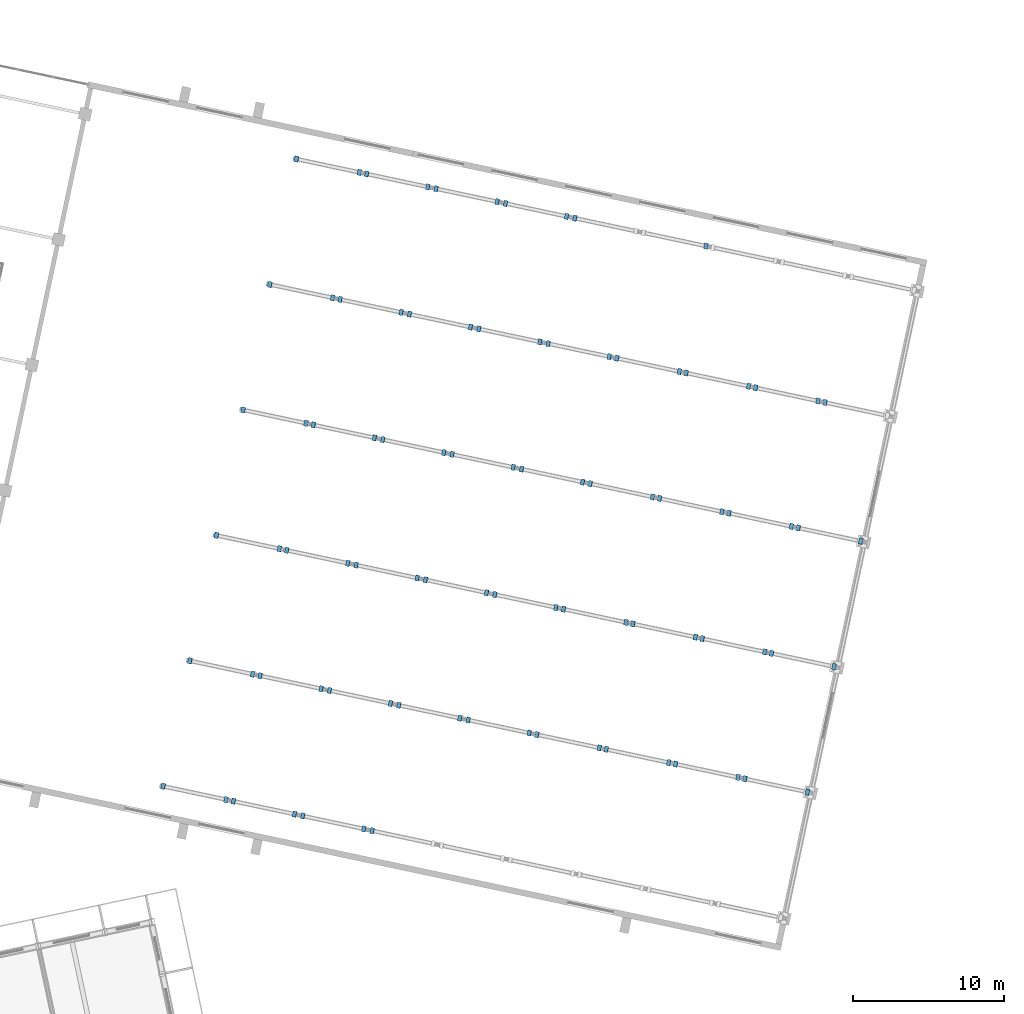
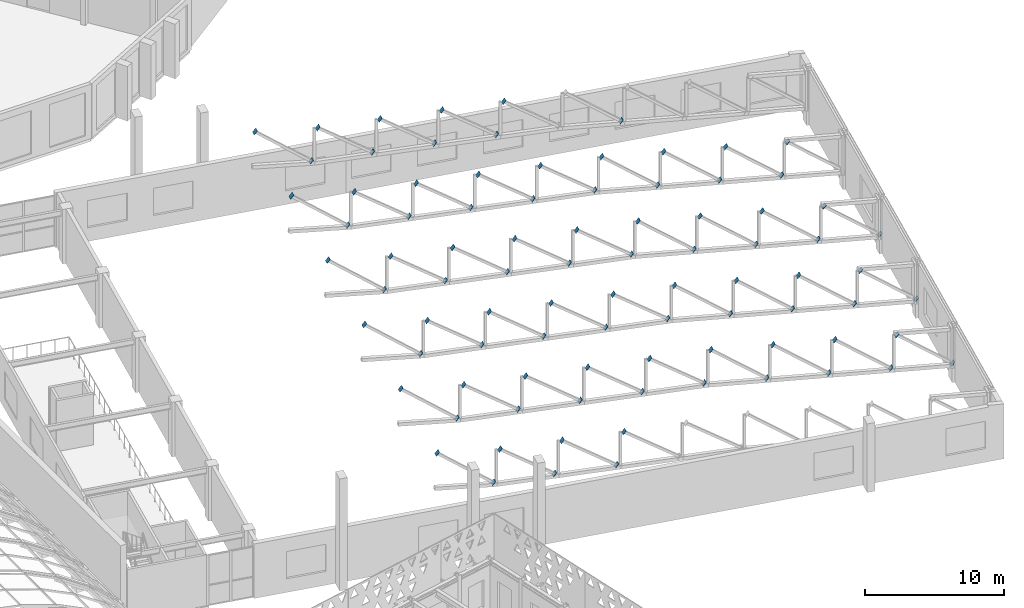
# One storey, part 163 of 182: 88 discrete accessories.
"""IFC4 building model written with IfcOpenShell, lengths in metres."""

from ifc_helpers import new_model, si_unit, direction, frame, origin, origin_2d, place, context, subcontext, project, spatial, rectangle, extrude, material, layer, layer_set, type_object, element, save


model = new_model("IFC4")

# Units and contexts
model_context = context("Model", 3, precision=1e-05, world=origin(), true_north=direction((0.0, 1.0)))
body_context = subcontext(model_context, "Body", "Model", "MODEL_VIEW")
ifc_project = project(units=[si_unit("LENGTHUNIT", "METRE"), si_unit("AREAUNIT", "SQUARE_METRE"), si_unit("VOLUMEUNIT", "CUBIC_METRE"), si_unit("PLANEANGLEUNIT", "RADIAN"), si_unit("MASSUNIT", "GRAM", prefix="KILO")], contexts=[model_context])

# Site, building, storey
site_placement = place(None, origin())
site = spatial("IfcSite", under=ifc_project, at=site_placement, CompositionType="ELEMENT")
building_placement = place(site_placement, origin())
building = spatial("IfcBuilding", under=site, at=building_placement, Name="Okhra Congress Centre", CompositionType="ELEMENT")
storey_placement = place(building_placement, frame((0.0, 0.0, 7.199951171875)))
storey = spatial("IfcBuildingStorey", under=building, at=storey_placement, Name="L01", CompositionType="ELEMENT", Elevation=7.199951171875)

# Discrete accessories
ifc_material = material(Name="Steel S355J2", Category="steel")
ifc_layer = layer(ifc_material, 0.02001953125)
ifc_layer_set = layer_set([ifc_layer], Name="Brace end connection plate 20 mm S355")
discrete_accessory_type = type_object("IfcDiscreteAccessoryType", Name="Brace end connection plate 20 mm S355", PredefinedType="BRACKET", material=ifc_layer_set)
for number, where, z_axis, x_axis, name in (
    (1, (213.965087890625, 92.695068359375, 8.216552734375), (-0.754975587422, 0.17047835845, 0.633205331387), (-0.220260871435, -0.975441002068, 0.0), "Brace end connection plate"),
    (2, (218.115234375, 91.81298828125, 4.7314453125), (0.756491435081, -0.158619171872, -0.634476687487), (0.205214844297, 0.978716949726, 0.0), "Brace end connection plate"),
    (3, (218.622314453125, 91.705322265625, 7.531005859375), (-0.783875912466, 0.15922479472, 0.600154995482), (-0.19905992429, -0.979987319582, 0.0), "Brace end connection plate"),
):
    element("IfcDiscreteAccessory", number, at=place(storey_placement, frame(where, z_axis=z_axis, x_axis=x_axis)), inside=storey, type_object=discrete_accessory_type, Name=name, PredefinedType="BRACKET", context=body_context, shape_type="SweptSolid", body=[
        extrude(rectangle(XDim=0.39990234375, YDim=0.39990234375, at=origin_2d()), origin(), (0.0, 0.0, 1.0), 0.02001953125),
    ])
discrete_accessory_1_placement = place(storey_placement, frame((222.652587890625, 90.8486328125, 4.510009765625), z_axis=(0.78696877165, -0.169500966202, -0.593253381705), x_axis=(0.210556075945, 0.977581781174, 0.0)))
element("IfcDiscreteAccessory", 4, at=discrete_accessory_1_placement, inside=storey, type_object=discrete_accessory_type, Name="Brace end connection plate", PredefinedType="BRACKET", context=body_context, shape_type="SweptSolid", body=[
    extrude(rectangle(XDim=0.39990234375, YDim=0.39990234375, at=origin_2d()), origin(), (0.0, 0.0, 1.0), 0.020263671875),
])
for number, where, z_axis, x_axis, name in (
    (5, (223.2197265625, 90.72802734375, 7.284912109375), (-0.792623989105, 0.170719013038, 0.585322330416), (-0.210556075945, -0.977581781174, 0.0), "Brace end connection plate"),
    (6, (227.25, 89.871337890625, 4.263671875), (0.782293211309, -0.171126639974, -0.598943239908), (0.213696878805, 0.976900017396, 0.0), "Brace end connection plate"),
):
    element("IfcDiscreteAccessory", number, at=place(storey_placement, frame(where, z_axis=z_axis, x_axis=x_axis)), inside=storey, type_object=discrete_accessory_type, Name=name, PredefinedType="BRACKET", context=body_context, shape_type="SweptSolid", body=[
        extrude(rectangle(XDim=0.39990234375, YDim=0.39990234375, at=origin_2d()), origin(), (0.0, 0.0, 1.0), 0.02001953125),
    ])
discrete_accessory_2_placement = place(storey_placement, frame((227.81689453125, 89.750732421875, 7.03857421875), z_axis=(-0.788024373725, 0.172380331752, 0.591018280293), x_axis=(-0.213696878805, -0.976900017396, 0.0)))
element("IfcDiscreteAccessory", 7, at=discrete_accessory_2_placement, inside=storey, type_object=discrete_accessory_type, Name="Brace end connection plate", PredefinedType="BRACKET", context=body_context, shape_type="SweptSolid", body=[
    extrude(rectangle(XDim=0.39990234375, YDim=0.39990234375, at=origin_2d()), origin(), (0.0, 0.0, 1.0), 0.019775390625),
])
for number, where, z_axis, x_axis, name in (
    (8, (215.732421875, 101.009521484375, 8.216552734375), (-0.756491435081, 0.158619171872, 0.634476687487), (-0.205214844297, -0.978716949726, 0.0), "Brace end connection plate"),
    (9, (219.882568359375, 100.127197265625, 4.7314453125), (0.756491435081, -0.158619171872, -0.634476687487), (0.205214844297, 0.978716949726, 0.0), "Brace end connection plate"),
    (10, (220.3896484375, 100.01953125, 7.531005859375), (-0.788530735684, 0.157706147137, 0.594430862285), (-0.196116135138, -0.980580675691, 0.0), "Brace end connection plate"),
    (11, (224.419921875, 99.162841796875, 4.510009765625), (0.782293211309, -0.171126639974, -0.598943239908), (0.213696878805, 0.976900017396, 0.0), "Brace end connection plate"),
    (12, (224.987060546875, 99.042236328125, 7.284912109375), (-0.792623989105, 0.170719013038, 0.585322330416), (-0.210556075945, -0.977581781174, 0.0), "Brace end connection plate"),
    (13, (229.01708984375, 98.185546875, 4.263671875), (0.788530735684, -0.157706147137, -0.594430862285), (0.196116135138, 0.980580675691, 0.0), "Brace end connection plate"),
    (14, (229.584228515625, 98.065185546875, 7.03857421875), (-0.794219937453, 0.158843987491, 0.586500876888), (-0.196116135138, -0.980580675691, 0.0), "Brace end connection plate"),
    (15, (233.614501953125, 97.20849609375, 4.017333984375), (0.782293211309, -0.171126639974, -0.598943239908), (0.213696878805, 0.976900017396, 0.0), "Brace end connection plate"),
    (16, (234.181640625, 97.087890625, 6.792236328125), (-0.792623989105, 0.170719013038, 0.585322330416), (-0.210556075945, -0.977581781174, 0.0), "Brace end connection plate"),
    (17, (238.211669921875, 96.231201171875, 3.77099609375), (0.788530735684, -0.157706147137, -0.594430862285), (0.196116135138, 0.980580675691, 0.0), "Brace end connection plate"),
):
    element("IfcDiscreteAccessory", number, at=place(storey_placement, frame(where, z_axis=z_axis, x_axis=x_axis)), inside=storey, type_object=discrete_accessory_type, Name=name, PredefinedType="BRACKET", context=body_context, shape_type="SweptSolid", body=[
        extrude(rectangle(XDim=0.39990234375, YDim=0.39990234375, at=origin_2d()), origin(), (0.0, 0.0, 1.0), 0.02001953125),
    ])
for number, where, z_axis, x_axis, name in (
    (18, (238.72900390625, 96.121337890625, 6.56640625), (-0.762359109709, 0.159849490745, 0.627101848309), (-0.205214844297, -0.978716949726, 0.0), "Brace end connection plate"),
    (19, (242.85888671875, 95.243408203125, 3.17333984375), (0.762359109709, -0.159849490745, -0.627101848309), (0.205214844297, 0.978716949726, 0.0), "Brace end connection plate"),
):
    element("IfcDiscreteAccessory", number, at=place(storey_placement, frame(where, z_axis=z_axis, x_axis=x_axis)), inside=storey, type_object=discrete_accessory_type, Name=name, PredefinedType="BRACKET", context=body_context, shape_type="SweptSolid", body=[
        extrude(rectangle(XDim=0.39990234375, YDim=0.39990234375, at=origin_2d()), origin(), (0.0, 0.0, 1.0), 0.019775390625),
    ])
for number, where, z_axis, x_axis, name in (
    (20, (243.326416015625, 95.14404296875, 5.9892578125), (-0.765904379266, 0.17020097317, 0.620017830835), (-0.216930457819, -0.976187060184, 0.0), "Brace end connection plate"),
    (21, (247.4560546875, 94.266357421875, 2.59619140625), (0.767437154638, -0.158360047782, -0.621258648992), (0.202091528728, 0.97936663922, 0.0), "Brace end connection plate"),
    (22, (247.923583984375, 94.1669921875, 5.412109375), (-0.756491435081, 0.158619171872, 0.634476687487), (-0.205214844297, -0.978716949726, 0.0), "Brace end connection plate"),
    (23, (252.053466796875, 93.2890625, 2.019287109375), (0.756491435081, -0.158619171872, -0.634476687487), (0.205214844297, 0.978716949726, 0.0), "Brace end connection plate"),
    (24, (252.52099609375, 93.189697265625, 4.835205078125), (-0.765904379266, 0.17020097317, 0.620017830835), (-0.216930457819, -0.976187060184, 0.0), "Brace end connection plate"),
):
    element("IfcDiscreteAccessory", number, at=place(storey_placement, frame(where, z_axis=z_axis, x_axis=x_axis)), inside=storey, type_object=discrete_accessory_type, Name=name, PredefinedType="BRACKET", context=body_context, shape_type="SweptSolid", body=[
        extrude(rectangle(XDim=0.39990234375, YDim=0.39990234375, at=origin_2d()), origin(), (0.0, 0.0, 1.0), 0.02001953125),
    ])
discrete_accessory_3_placement = place(storey_placement, frame((256.650634765625, 92.31201171875, 1.442138671875), z_axis=(0.760140358349, -0.168920079633, -0.627417438637), x_axis=(0.216930457819, 0.976187060184, 0.0)))
element("IfcDiscreteAccessory", 25, at=discrete_accessory_3_placement, inside=storey, type_object=discrete_accessory_type, Name="Brace end connection plate", PredefinedType="BRACKET", context=body_context, shape_type="SweptSolid", body=[
    extrude(rectangle(XDim=0.39990234375, YDim=0.39990234375, at=origin_2d()), origin(), (0.0, 0.0, 1.0), 0.020263671875),
])
for number, where, z_axis, x_axis, name in (
    (26, (217.49951171875, 109.32373046875, 8.216552734375), (-0.756491435081, 0.158619171872, 0.634476687487), (-0.205214844297, -0.978716949726, 0.0), "Brace end connection plate"),
    (27, (221.64990234375, 108.44140625, 4.7314453125), (0.756491435081, -0.158619171872, -0.634476687487), (0.205214844297, 0.978716949726, 0.0), "Brace end connection plate"),
):
    element("IfcDiscreteAccessory", number, at=place(storey_placement, frame(where, z_axis=z_axis, x_axis=x_axis)), inside=storey, type_object=discrete_accessory_type, Name=name, PredefinedType="BRACKET", context=body_context, shape_type="SweptSolid", body=[
        extrude(rectangle(XDim=0.39990234375, YDim=0.39990234375, at=origin_2d()), origin(), (0.0, 0.0, 1.0), 0.02001953125),
    ])
for number, where, z_axis, x_axis, name in (
    (28, (222.156982421875, 108.333740234375, 7.531005859375), (-0.78696877165, 0.169500966202, 0.593253381705), (-0.210556075945, -0.977581781174, 0.0), "Brace end connection plate"),
    (29, (226.18701171875, 107.47705078125, 4.510009765625), (0.78696877165, -0.169500966202, -0.593253381705), (0.210556075945, 0.977581781174, 0.0), "Brace end connection plate"),
):
    element("IfcDiscreteAccessory", number, at=place(storey_placement, frame(where, z_axis=z_axis, x_axis=x_axis)), inside=storey, type_object=discrete_accessory_type, Name=name, PredefinedType="BRACKET", context=body_context, shape_type="SweptSolid", body=[
        extrude(rectangle(XDim=0.39990234375, YDim=0.39990234375, at=origin_2d()), origin(), (0.0, 0.0, 1.0), 0.020263671875),
    ])
discrete_accessory_4_placement = place(storey_placement, frame((226.754150390625, 107.3564453125, 7.284912109375), z_axis=(-0.788024373725, 0.172380331752, 0.591018280293), x_axis=(-0.213696878805, -0.976900017396, 0.0)))
element("IfcDiscreteAccessory", 30, at=discrete_accessory_4_placement, inside=storey, type_object=discrete_accessory_type, Name="Brace end connection plate", PredefinedType="BRACKET", context=body_context, shape_type="SweptSolid", body=[
    extrude(rectangle(XDim=0.39990234375, YDim=0.39990234375, at=origin_2d()), origin(), (0.0, 0.0, 1.0), 0.019775390625),
])
discrete_accessory_5_placement = place(storey_placement, frame((230.784423828125, 106.5, 4.263671875), z_axis=(0.78696877165, -0.169500966202, -0.593253381705), x_axis=(0.210556075945, 0.977581781174, 0.0)))
element("IfcDiscreteAccessory", 31, at=discrete_accessory_5_placement, inside=storey, type_object=discrete_accessory_type, Name="Brace end connection plate", PredefinedType="BRACKET", context=body_context, shape_type="SweptSolid", body=[
    extrude(rectangle(XDim=0.39990234375, YDim=0.39990234375, at=origin_2d()), origin(), (0.0, 0.0, 1.0), 0.020263671875),
])
discrete_accessory_6_placement = place(storey_placement, frame((231.3515625, 106.37939453125, 7.03857421875), z_axis=(-0.792623989105, 0.170719013038, 0.585322330416), x_axis=(-0.210556075945, -0.977581781174, 0.0)))
element("IfcDiscreteAccessory", 32, at=discrete_accessory_6_placement, inside=storey, type_object=discrete_accessory_type, Name="Brace end connection plate", PredefinedType="BRACKET", context=body_context, shape_type="SweptSolid", body=[
    extrude(rectangle(XDim=0.39990234375, YDim=0.39990234375, at=origin_2d()), origin(), (0.0, 0.0, 1.0), 0.02001953125),
])
discrete_accessory_7_placement = place(storey_placement, frame((235.381591796875, 105.522705078125, 4.017333984375), z_axis=(0.78696877165, -0.169500966202, -0.593253381705), x_axis=(0.210556075945, 0.977581781174, 0.0)))
element("IfcDiscreteAccessory", 33, at=discrete_accessory_7_placement, inside=storey, type_object=discrete_accessory_type, Name="Brace end connection plate", PredefinedType="BRACKET", context=body_context, shape_type="SweptSolid", body=[
    extrude(rectangle(XDim=0.39990234375, YDim=0.39990234375, at=origin_2d()), origin(), (0.0, 0.0, 1.0), 0.020263671875),
])
discrete_accessory_8_placement = place(storey_placement, frame((235.94873046875, 105.402099609375, 6.792236328125), z_axis=(-0.788024373725, 0.172380331752, 0.591018280293), x_axis=(-0.213696878805, -0.976900017396, 0.0)))
element("IfcDiscreteAccessory", 34, at=discrete_accessory_8_placement, inside=storey, type_object=discrete_accessory_type, Name="Brace end connection plate", PredefinedType="BRACKET", context=body_context, shape_type="SweptSolid", body=[
    extrude(rectangle(XDim=0.39990234375, YDim=0.39990234375, at=origin_2d()), origin(), (0.0, 0.0, 1.0), 0.019775390625),
])
for number, where, z_axis, x_axis, name in (
    (35, (239.97900390625, 104.54541015625, 3.77099609375), (0.788530735684, -0.157706147137, -0.594430862285), (0.196116135138, 0.980580675691, 0.0), "Brace end connection plate"),
    (36, (240.496337890625, 104.435546875, 6.56640625), (-0.767437154638, 0.158360047782, 0.621258648992), (-0.202091528728, -0.97936663922, 0.0), "Brace end connection plate"),
    (37, (244.6259765625, 103.557861328125, 3.17333984375), (0.765904379266, -0.17020097317, -0.620017830835), (0.216930457819, 0.976187060184, 0.0), "Brace end connection plate"),
):
    element("IfcDiscreteAccessory", number, at=place(storey_placement, frame(where, z_axis=z_axis, x_axis=x_axis)), inside=storey, type_object=discrete_accessory_type, Name=name, PredefinedType="BRACKET", context=body_context, shape_type="SweptSolid", body=[
        extrude(rectangle(XDim=0.39990234375, YDim=0.39990234375, at=origin_2d()), origin(), (0.0, 0.0, 1.0), 0.02001953125),
    ])
for number, where, z_axis, x_axis, name in (
    (38, (245.093505859375, 103.45849609375, 5.9892578125), (-0.762359109709, 0.159849490745, 0.627101848309), (-0.205214844297, -0.978716949726, 0.0), "Brace end connection plate"),
    (39, (249.223388671875, 102.58056640625, 2.59619140625), (0.762359109709, -0.159849490745, -0.627101848309), (0.205214844297, 0.978716949726, 0.0), "Brace end connection plate"),
):
    element("IfcDiscreteAccessory", number, at=place(storey_placement, frame(where, z_axis=z_axis, x_axis=x_axis)), inside=storey, type_object=discrete_accessory_type, Name=name, PredefinedType="BRACKET", context=body_context, shape_type="SweptSolid", body=[
        extrude(rectangle(XDim=0.39990234375, YDim=0.39990234375, at=origin_2d()), origin(), (0.0, 0.0, 1.0), 0.019775390625),
    ])
for number, where, z_axis, x_axis, name in (
    (40, (249.69091796875, 102.481201171875, 5.412109375), (-0.761638720064, 0.15716354541, 0.62865418164), (-0.202091528728, -0.97936663922, 0.0), "Brace end connection plate"),
    (41, (253.820556640625, 101.603271484375, 2.019287109375), (0.761638720064, -0.15716354541, -0.62865418164), (0.202091528728, 0.97936663922, 0.0), "Brace end connection plate"),
):
    element("IfcDiscreteAccessory", number, at=place(storey_placement, frame(where, z_axis=z_axis, x_axis=x_axis)), inside=storey, type_object=discrete_accessory_type, Name=name, PredefinedType="BRACKET", context=body_context, shape_type="SweptSolid", body=[
        extrude(rectangle(XDim=0.39990234375, YDim=0.39990234375, at=origin_2d()), origin(), (0.0, 0.0, 1.0), 0.020263671875),
    ])
discrete_accessory_9_placement = place(storey_placement, frame((254.2880859375, 101.50390625, 4.835205078125), z_axis=(-0.760807787608, 0.171795306879, 0.625825760774), x_axis=(-0.220260871435, -0.975441002068, 0.0)))
element("IfcDiscreteAccessory", 42, at=discrete_accessory_9_placement, inside=storey, type_object=discrete_accessory_type, Name="Brace end connection plate", PredefinedType="BRACKET", context=body_context, shape_type="SweptSolid", body=[
    extrude(rectangle(XDim=0.39990234375, YDim=0.39990234375, at=origin_2d()), origin(), (0.0, 0.0, 1.0), 0.019775390625),
])
for number, where, z_axis, x_axis, name in (
    (43, (258.41796875, 100.626220703125, 1.442138671875), (0.756491435081, -0.158619171872, -0.634476687487), (0.205214844297, 0.978716949726, 0.0), "Brace end connection plate"),
    (44, (219.266845703125, 117.637939453125, 8.216552734375), (-0.756491435081, 0.158619171872, 0.634476687487), (-0.205214844297, -0.978716949726, 0.0), "Brace end connection plate"),
    (45, (223.4169921875, 116.755859375, 4.7314453125), (0.754975587422, -0.17047835845, -0.633205331387), (0.220260871435, 0.975441002068, 0.0), "Brace end connection plate"),
    (46, (223.924072265625, 116.64794921875, 7.531005859375), (-0.782293211309, 0.171126639974, 0.598943239908), (-0.213696878805, -0.976900017396, 0.0), "Brace end connection plate"),
    (47, (227.954345703125, 115.791259765625, 4.510009765625), (0.788530735684, -0.157706147137, -0.594430862285), (0.196116135138, 0.980580675691, 0.0), "Brace end connection plate"),
    (48, (228.521484375, 115.6708984375, 7.284912109375), (-0.794219937453, 0.158843987491, 0.586500876888), (-0.196116135138, -0.980580675691, 0.0), "Brace end connection plate"),
    (49, (232.5517578125, 114.814208984375, 4.263671875), (0.782293211309, -0.171126639974, -0.598943239908), (0.213696878805, 0.976900017396, 0.0), "Brace end connection plate"),
):
    element("IfcDiscreteAccessory", number, at=place(storey_placement, frame(where, z_axis=z_axis, x_axis=x_axis)), inside=storey, type_object=discrete_accessory_type, Name=name, PredefinedType="BRACKET", context=body_context, shape_type="SweptSolid", body=[
        extrude(rectangle(XDim=0.39990234375, YDim=0.39990234375, at=origin_2d()), origin(), (0.0, 0.0, 1.0), 0.02001953125),
    ])
discrete_accessory_10_placement = place(storey_placement, frame((233.11865234375, 114.693603515625, 7.03857421875), z_axis=(-0.788024373725, 0.172380331752, 0.591018280293), x_axis=(-0.213696878805, -0.976900017396, 0.0)))
element("IfcDiscreteAccessory", 50, at=discrete_accessory_10_placement, inside=storey, type_object=discrete_accessory_type, Name="Brace end connection plate", PredefinedType="BRACKET", context=body_context, shape_type="SweptSolid", body=[
    extrude(rectangle(XDim=0.39990234375, YDim=0.39990234375, at=origin_2d()), origin(), (0.0, 0.0, 1.0), 0.019775390625),
])
discrete_accessory_11_placement = place(storey_placement, frame((237.14892578125, 113.8369140625, 4.017333984375), z_axis=(0.78696877165, -0.169500966202, -0.593253381705), x_axis=(0.210556075945, 0.977581781174, 0.0)))
element("IfcDiscreteAccessory", 51, at=discrete_accessory_11_placement, inside=storey, type_object=discrete_accessory_type, Name="Brace end connection plate", PredefinedType="BRACKET", context=body_context, shape_type="SweptSolid", body=[
    extrude(rectangle(XDim=0.39990234375, YDim=0.39990234375, at=origin_2d()), origin(), (0.0, 0.0, 1.0), 0.020263671875),
])
for number, where, z_axis, x_axis, name in (
    (52, (237.716064453125, 113.71630859375, 6.792236328125), (-0.792623989105, 0.170719013038, 0.585322330416), (-0.210556075945, -0.977581781174, 0.0), "Brace end connection plate"),
    (53, (241.746337890625, 112.85986328125, 3.77099609375), (0.782293211309, -0.171126639974, -0.598943239908), (0.213696878805, 0.976900017396, 0.0), "Brace end connection plate"),
):
    element("IfcDiscreteAccessory", number, at=place(storey_placement, frame(where, z_axis=z_axis, x_axis=x_axis)), inside=storey, type_object=discrete_accessory_type, Name=name, PredefinedType="BRACKET", context=body_context, shape_type="SweptSolid", body=[
        extrude(rectangle(XDim=0.39990234375, YDim=0.39990234375, at=origin_2d()), origin(), (0.0, 0.0, 1.0), 0.02001953125),
    ])
discrete_accessory_12_placement = place(storey_placement, frame((242.263427734375, 112.749755859375, 6.56640625), z_axis=(-0.760807787608, 0.171795306879, 0.625825760774), x_axis=(-0.220260871435, -0.975441002068, 0.0)))
element("IfcDiscreteAccessory", 54, at=discrete_accessory_12_placement, inside=storey, type_object=discrete_accessory_type, Name="Brace end connection plate", PredefinedType="BRACKET", context=body_context, shape_type="SweptSolid", body=[
    extrude(rectangle(XDim=0.39990234375, YDim=0.39990234375, at=origin_2d()), origin(), (0.0, 0.0, 1.0), 0.019775390625),
])
for number, where, z_axis, x_axis, name in (
    (55, (246.393310546875, 111.8720703125, 3.17333984375), (0.765904379266, -0.17020097317, -0.620017830835), (0.216930457819, 0.976187060184, 0.0), "Brace end connection plate"),
    (56, (246.86083984375, 111.772705078125, 5.9892578125), (-0.767437154638, 0.158360047782, 0.621258648992), (-0.202091528728, -0.97936663922, 0.0), "Brace end connection plate"),
):
    element("IfcDiscreteAccessory", number, at=place(storey_placement, frame(where, z_axis=z_axis, x_axis=x_axis)), inside=storey, type_object=discrete_accessory_type, Name=name, PredefinedType="BRACKET", context=body_context, shape_type="SweptSolid", body=[
        extrude(rectangle(XDim=0.39990234375, YDim=0.39990234375, at=origin_2d()), origin(), (0.0, 0.0, 1.0), 0.02001953125),
    ])
discrete_accessory_13_placement = place(storey_placement, frame((250.99072265625, 110.894775390625, 2.59619140625), z_axis=(0.762359109709, -0.159849490745, -0.627101848309), x_axis=(0.205214844297, 0.978716949726, 0.0)))
element("IfcDiscreteAccessory", 57, at=discrete_accessory_13_placement, inside=storey, type_object=discrete_accessory_type, Name="Brace end connection plate", PredefinedType="BRACKET", context=body_context, shape_type="SweptSolid", body=[
    extrude(rectangle(XDim=0.39990234375, YDim=0.39990234375, at=origin_2d()), origin(), (0.0, 0.0, 1.0), 0.019775390625),
])
discrete_accessory_14_placement = place(storey_placement, frame((251.4580078125, 110.79541015625, 5.412109375), z_axis=(-0.756491435081, 0.158619171872, 0.634476687487), x_axis=(-0.205214844297, -0.978716949726, 0.0)))
element("IfcDiscreteAccessory", 58, at=discrete_accessory_14_placement, inside=storey, type_object=discrete_accessory_type, Name="Brace end connection plate", PredefinedType="BRACKET", context=body_context, shape_type="SweptSolid", body=[
    extrude(rectangle(XDim=0.39990234375, YDim=0.39990234375, at=origin_2d()), origin(), (0.0, 0.0, 1.0), 0.02001953125),
])
discrete_accessory_15_placement = place(storey_placement, frame((255.587890625, 109.917724609375, 2.019287109375), z_axis=(0.760140358349, -0.168920079633, -0.627417438637), x_axis=(0.216930457819, 0.976187060184, 0.0)))
element("IfcDiscreteAccessory", 59, at=discrete_accessory_15_placement, inside=storey, type_object=discrete_accessory_type, Name="Brace end connection plate", PredefinedType="BRACKET", context=body_context, shape_type="SweptSolid", body=[
    extrude(rectangle(XDim=0.39990234375, YDim=0.39990234375, at=origin_2d()), origin(), (0.0, 0.0, 1.0), 0.020263671875),
])
discrete_accessory_16_placement = place(storey_placement, frame((256.055419921875, 109.818359375, 4.835205078125), z_axis=(-0.762359109709, 0.159849490745, 0.627101848309), x_axis=(-0.205214844297, -0.978716949726, 0.0)))
element("IfcDiscreteAccessory", 60, at=discrete_accessory_16_placement, inside=storey, type_object=discrete_accessory_type, Name="Brace end connection plate", PredefinedType="BRACKET", context=body_context, shape_type="SweptSolid", body=[
    extrude(rectangle(XDim=0.39990234375, YDim=0.39990234375, at=origin_2d()), origin(), (0.0, 0.0, 1.0), 0.019775390625),
])
for number, where, z_axis, x_axis, name in (
    (61, (260.185302734375, 108.9404296875, 1.442138671875), (0.756491435081, -0.158619171872, -0.634476687487), (0.205214844297, 0.978716949726, 0.0), "Brace end connection plate"),
    (62, (221.0341796875, 125.9521484375, 8.216552734375), (-0.756491435081, 0.158619171872, 0.634476687487), (-0.205214844297, -0.978716949726, 0.0), "Brace end connection plate"),
    (63, (225.184326171875, 125.070068359375, 4.7314453125), (0.756491435081, -0.158619171872, -0.634476687487), (0.205214844297, 0.978716949726, 0.0), "Brace end connection plate"),
):
    element("IfcDiscreteAccessory", number, at=place(storey_placement, frame(where, z_axis=z_axis, x_axis=x_axis)), inside=storey, type_object=discrete_accessory_type, Name=name, PredefinedType="BRACKET", context=body_context, shape_type="SweptSolid", body=[
        extrude(rectangle(XDim=0.39990234375, YDim=0.39990234375, at=origin_2d()), origin(), (0.0, 0.0, 1.0), 0.02001953125),
    ])
discrete_accessory_17_placement = place(storey_placement, frame((225.69140625, 124.962158203125, 7.531005859375), z_axis=(-0.78696877165, 0.169500966202, 0.593253381705), x_axis=(-0.210556075945, -0.977581781174, 0.0)))
element("IfcDiscreteAccessory", 64, at=discrete_accessory_17_placement, inside=storey, type_object=discrete_accessory_type, Name="Brace end connection plate", PredefinedType="BRACKET", context=body_context, shape_type="SweptSolid", body=[
    extrude(rectangle(XDim=0.39990234375, YDim=0.39990234375, at=origin_2d()), origin(), (0.0, 0.0, 1.0), 0.020263671875),
])
for number, where, z_axis, x_axis, name in (
    (65, (229.7216796875, 124.10546875, 4.510009765625), (0.783875912466, -0.15922479472, -0.600154995482), (0.19905992429, 0.979987319582, 0.0), "Brace end connection plate"),
    (66, (230.288818359375, 123.985107421875, 7.284912109375), (-0.794219937453, 0.158843987491, 0.586500876888), (-0.196116135138, -0.980580675691, 0.0), "Brace end connection plate"),
):
    element("IfcDiscreteAccessory", number, at=place(storey_placement, frame(where, z_axis=z_axis, x_axis=x_axis)), inside=storey, type_object=discrete_accessory_type, Name=name, PredefinedType="BRACKET", context=body_context, shape_type="SweptSolid", body=[
        extrude(rectangle(XDim=0.39990234375, YDim=0.39990234375, at=origin_2d()), origin(), (0.0, 0.0, 1.0), 0.02001953125),
    ])
discrete_accessory_18_placement = place(storey_placement, frame((234.31884765625, 123.12841796875, 4.263671875), z_axis=(0.78696877165, -0.169500966202, -0.593253381705), x_axis=(0.210556075945, 0.977581781174, 0.0)))
element("IfcDiscreteAccessory", 67, at=discrete_accessory_18_placement, inside=storey, type_object=discrete_accessory_type, Name="Brace end connection plate", PredefinedType="BRACKET", context=body_context, shape_type="SweptSolid", body=[
    extrude(rectangle(XDim=0.39990234375, YDim=0.39990234375, at=origin_2d()), origin(), (0.0, 0.0, 1.0), 0.020263671875),
])
for number, where, z_axis, x_axis, name in (
    (68, (234.885986328125, 123.0078125, 7.03857421875), (-0.792623989105, 0.170719013038, 0.585322330416), (-0.210556075945, -0.977581781174, 0.0), "Brace end connection plate"),
    (69, (238.916259765625, 122.151123046875, 4.017333984375), (0.783875912466, -0.15922479472, -0.600154995482), (0.19905992429, 0.979987319582, 0.0), "Brace end connection plate"),
    (70, (239.4833984375, 122.03076171875, 6.792236328125), (-0.794219937453, 0.158843987491, 0.586500876888), (-0.196116135138, -0.980580675691, 0.0), "Brace end connection plate"),
):
    element("IfcDiscreteAccessory", number, at=place(storey_placement, frame(where, z_axis=z_axis, x_axis=x_axis)), inside=storey, type_object=discrete_accessory_type, Name=name, PredefinedType="BRACKET", context=body_context, shape_type="SweptSolid", body=[
        extrude(rectangle(XDim=0.39990234375, YDim=0.39990234375, at=origin_2d()), origin(), (0.0, 0.0, 1.0), 0.02001953125),
    ])
discrete_accessory_19_placement = place(storey_placement, frame((243.513427734375, 121.174072265625, 3.77099609375), z_axis=(0.78696877165, -0.169500966202, -0.593253381705), x_axis=(0.210556075945, 0.977581781174, 0.0)))
element("IfcDiscreteAccessory", 71, at=discrete_accessory_19_placement, inside=storey, type_object=discrete_accessory_type, Name="Brace end connection plate", PredefinedType="BRACKET", context=body_context, shape_type="SweptSolid", body=[
    extrude(rectangle(XDim=0.39990234375, YDim=0.39990234375, at=origin_2d()), origin(), (0.0, 0.0, 1.0), 0.020263671875),
])
for number, where, z_axis, x_axis, name in (
    (72, (244.03076171875, 121.06396484375, 6.56640625), (-0.760807787608, 0.171795306879, 0.625825760774), (-0.220260871435, -0.975441002068, 0.0), "Brace end connection plate"),
    (73, (248.16064453125, 120.186279296875, 3.17333984375), (0.762359109709, -0.159849490745, -0.627101848309), (0.205214844297, 0.978716949726, 0.0), "Brace end connection plate"),
):
    element("IfcDiscreteAccessory", number, at=place(storey_placement, frame(where, z_axis=z_axis, x_axis=x_axis)), inside=storey, type_object=discrete_accessory_type, Name=name, PredefinedType="BRACKET", context=body_context, shape_type="SweptSolid", body=[
        extrude(rectangle(XDim=0.39990234375, YDim=0.39990234375, at=origin_2d()), origin(), (0.0, 0.0, 1.0), 0.019775390625),
    ])
for number, where, z_axis, x_axis, name in (
    (74, (248.628173828125, 120.0869140625, 5.9892578125), (-0.767437154638, 0.158360047782, 0.621258648992), (-0.202091528728, -0.97936663922, 0.0), "Brace end connection plate"),
    (75, (252.7578125, 119.208984375, 2.59619140625), (0.767437154638, -0.158360047782, -0.621258648992), (0.202091528728, 0.97936663922, 0.0), "Brace end connection plate"),
    (76, (253.225341796875, 119.109619140625, 5.412109375), (-0.754975587422, 0.17047835845, 0.633205331387), (-0.220260871435, -0.975441002068, 0.0), "Brace end connection plate"),
    (77, (257.355224609375, 118.23193359375, 2.019287109375), (0.756491435081, -0.158619171872, -0.634476687487), (0.205214844297, 0.978716949726, 0.0), "Brace end connection plate"),
    (78, (257.82275390625, 118.132568359375, 4.835205078125), (-0.767437154638, 0.158360047782, 0.621258648992), (-0.202091528728, -0.97936663922, 0.0), "Brace end connection plate"),
    (79, (222.80126953125, 134.266357421875, 8.216552734375), (-0.756491435081, 0.158619171872, 0.634476687487), (-0.205214844297, -0.978716949726, 0.0), "Brace end connection plate"),
    (80, (226.95166015625, 133.38427734375, 4.7314453125), (0.756491435081, -0.158619171872, -0.634476687487), (0.205214844297, 0.978716949726, 0.0), "Brace end connection plate"),
):
    element("IfcDiscreteAccessory", number, at=place(storey_placement, frame(where, z_axis=z_axis, x_axis=x_axis)), inside=storey, type_object=discrete_accessory_type, Name=name, PredefinedType="BRACKET", context=body_context, shape_type="SweptSolid", body=[
        extrude(rectangle(XDim=0.39990234375, YDim=0.39990234375, at=origin_2d()), origin(), (0.0, 0.0, 1.0), 0.02001953125),
    ])
for number, where, z_axis, x_axis, name in (
    (81, (227.458740234375, 133.2763671875, 7.531005859375), (-0.78696877165, 0.169500966202, 0.593253381705), (-0.210556075945, -0.977581781174, 0.0), "Brace end connection plate"),
    (82, (231.48876953125, 132.419921875, 4.510009765625), (0.78696877165, -0.169500966202, -0.593253381705), (0.210556075945, 0.977581781174, 0.0), "Brace end connection plate"),
):
    element("IfcDiscreteAccessory", number, at=place(storey_placement, frame(where, z_axis=z_axis, x_axis=x_axis)), inside=storey, type_object=discrete_accessory_type, Name=name, PredefinedType="BRACKET", context=body_context, shape_type="SweptSolid", body=[
        extrude(rectangle(XDim=0.39990234375, YDim=0.39990234375, at=origin_2d()), origin(), (0.0, 0.0, 1.0), 0.020263671875),
    ])
discrete_accessory_20_placement = place(storey_placement, frame((232.055908203125, 132.29931640625, 7.284912109375), z_axis=(-0.788024373725, 0.172380331752, 0.591018280293), x_axis=(-0.213696878805, -0.976900017396, 0.0)))
element("IfcDiscreteAccessory", 83, at=discrete_accessory_20_placement, inside=storey, type_object=discrete_accessory_type, Name="Brace end connection plate", PredefinedType="BRACKET", context=body_context, shape_type="SweptSolid", body=[
    extrude(rectangle(XDim=0.39990234375, YDim=0.39990234375, at=origin_2d()), origin(), (0.0, 0.0, 1.0), 0.019775390625),
])
discrete_accessory_21_placement = place(storey_placement, frame((236.086181640625, 131.442626953125, 4.263671875), z_axis=(0.78696877165, -0.169500966202, -0.593253381705), x_axis=(0.210556075945, 0.977581781174, 0.0)))
element("IfcDiscreteAccessory", 84, at=discrete_accessory_21_placement, inside=storey, type_object=discrete_accessory_type, Name="Brace end connection plate", PredefinedType="BRACKET", context=body_context, shape_type="SweptSolid", body=[
    extrude(rectangle(XDim=0.39990234375, YDim=0.39990234375, at=origin_2d()), origin(), (0.0, 0.0, 1.0), 0.020263671875),
])
discrete_accessory_22_placement = place(storey_placement, frame((236.6533203125, 131.322021484375, 7.03857421875), z_axis=(-0.792623989105, 0.170719013038, 0.585322330416), x_axis=(-0.210556075945, -0.977581781174, 0.0)))
element("IfcDiscreteAccessory", 85, at=discrete_accessory_22_placement, inside=storey, type_object=discrete_accessory_type, Name="Brace end connection plate", PredefinedType="BRACKET", context=body_context, shape_type="SweptSolid", body=[
    extrude(rectangle(XDim=0.39990234375, YDim=0.39990234375, at=origin_2d()), origin(), (0.0, 0.0, 1.0), 0.02001953125),
])
discrete_accessory_23_placement = place(storey_placement, frame((240.683349609375, 130.465576171875, 4.017333984375), z_axis=(0.78696877165, -0.169500966202, -0.593253381705), x_axis=(0.210556075945, 0.977581781174, 0.0)))
element("IfcDiscreteAccessory", 86, at=discrete_accessory_23_placement, inside=storey, type_object=discrete_accessory_type, Name="Brace end connection plate", PredefinedType="BRACKET", context=body_context, shape_type="SweptSolid", body=[
    extrude(rectangle(XDim=0.39990234375, YDim=0.39990234375, at=origin_2d()), origin(), (0.0, 0.0, 1.0), 0.020263671875),
])
discrete_accessory_24_placement = place(storey_placement, frame((241.25048828125, 130.344970703125, 6.792236328125), z_axis=(-0.788024373725, 0.172380331752, 0.591018280293), x_axis=(-0.213696878805, -0.976900017396, 0.0)))
element("IfcDiscreteAccessory", 87, at=discrete_accessory_24_placement, inside=storey, type_object=discrete_accessory_type, Name="Brace end connection plate", PredefinedType="BRACKET", context=body_context, shape_type="SweptSolid", body=[
    extrude(rectangle(XDim=0.39990234375, YDim=0.39990234375, at=origin_2d()), origin(), (0.0, 0.0, 1.0), 0.019775390625),
])
discrete_accessory_25_placement = place(storey_placement, frame((249.927734375, 128.50048828125, 3.17333984375), z_axis=(0.767437154638, -0.158360047782, -0.621258648992), x_axis=(0.202091528728, 0.97936663922, 0.0)))
element("IfcDiscreteAccessory", 88, at=discrete_accessory_25_placement, inside=storey, type_object=discrete_accessory_type, Name="Brace end connection plate", PredefinedType="BRACKET", context=body_context, shape_type="SweptSolid", body=[
    extrude(rectangle(XDim=0.39990234375, YDim=0.39990234375, at=origin_2d()), origin(), (0.0, 0.0, 1.0), 0.02001953125),
])

save(model, "model.ifc")
